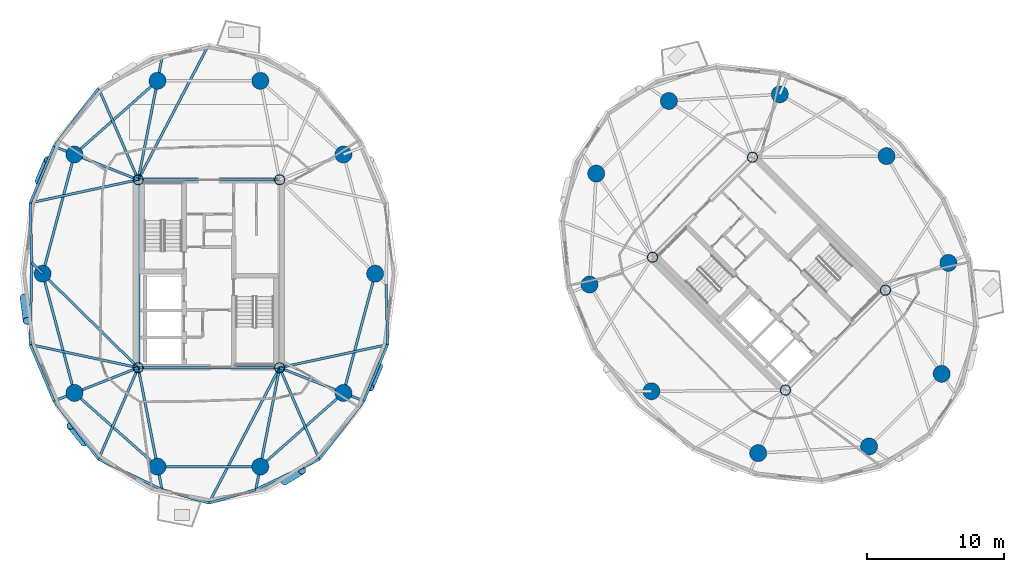
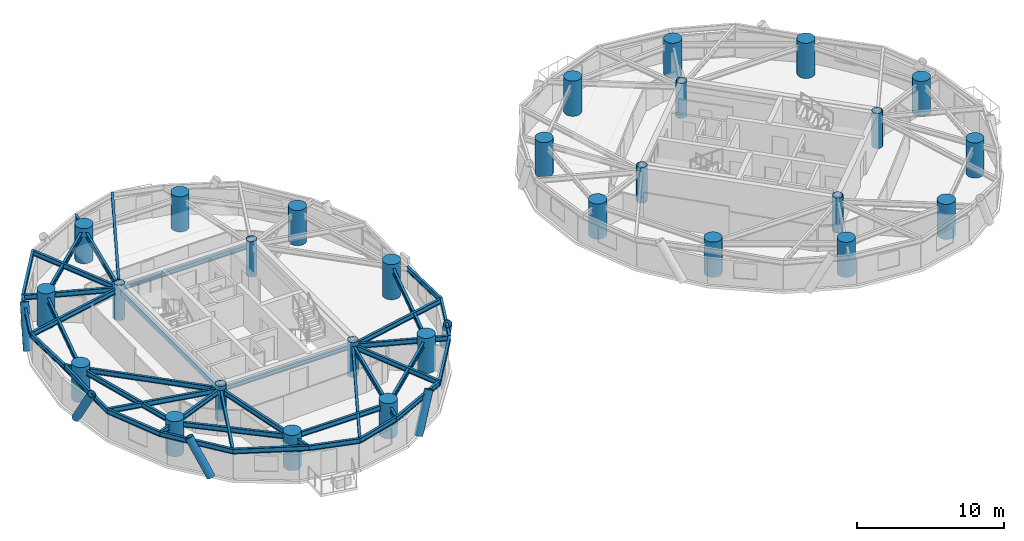
# One storey, part 1 of 15: 39 beams, 28 columns, 5 members.
"""IFC4 building model written with IfcOpenShell, lengths in metres."""

from ifc_helpers import new_model, si_unit, direction, frame, origin, origin_2d, place, context, subcontext, project, spatial, hollow_rectangle, circle, hollow_circle, i_section, extrude, material, material_profile, profile_set, type_object, element, save


model = new_model("IFC4")

# Units and contexts
model_context = context("Model", 3, precision=1e-05, world=origin(), true_north=direction((0.0, 1.0)))
body_context = subcontext(model_context, "Body", "Model", "MODEL_VIEW")
ifc_project = project(units=[si_unit("LENGTHUNIT", "METRE"), si_unit("AREAUNIT", "SQUARE_METRE"), si_unit("VOLUMEUNIT", "CUBIC_METRE"), si_unit("PLANEANGLEUNIT", "RADIAN"), si_unit("MASSUNIT", "GRAM", prefix="KILO")], contexts=[model_context])

# Site, building, storey
site_placement = place(None, origin())
site = spatial("IfcSite", under=ifc_project, at=site_placement, CompositionType="ELEMENT")
building_placement = place(site_placement, origin())
building = spatial("IfcBuilding", under=site, at=building_placement, Name="Cununo Teusaquillo Station Towers", CompositionType="ELEMENT")
storey_placement = place(building_placement, frame((0.0, 0.0, 189.429931640625)))
storey = spatial("IfcBuildingStorey", under=building, at=storey_placement, Name="L60", CompositionType="ELEMENT", Elevation=189.429931640625)

# Columns
ifc_material_1 = material(Name="Steel EN 10025-2 S355J2", Category="steel")
ifc_material_profile_1 = material_profile(ifc_material_1, hollow_circle(Radius=0.3798828125, WallThickness=0.031982421875, at=origin_2d()), Name="CHS 760x32")
ifc_profile_set_1 = profile_set([ifc_material_profile_1], Name="Steel EN 10025-2 S355J2")
column_type_1 = type_object("IfcColumnType", Name="COL-CORE-Z2", PredefinedType="COLUMN", material=ifc_profile_set_1)
for number, where, z_axis, x_axis, name in (
    (1, (11.324951171875, 17.6201171875, 0.0), (0.0, 0.0, 1.0), (1.0, 0.0, 0.0), "L60 Tower A Core Column 1"),
    (2, (11.324951171875, 31.3798828125, 0.0), (0.0, 0.0, 1.0), (1.0, 0.0, 0.0), "L60 Tower A Core Column 2"),
    (3, (21.675048828125, 17.6201171875, 0.0), (0.0, 0.0, 1.0), (1.0, 0.0, 0.0), "L60 Tower A Core Column 3"),
    (4, (21.675048828125, 31.3798828125, 0.0), (0.0, 0.0, 1.0), (1.0, 0.0, 0.0), "L60 Tower A Core Column 4"),
    (5, (58.70556640625, 15.975830078125, 0.0), (0.0, 0.0, 1.0), (0.707106781187, 0.707106781187, 0.0), "L60 Tower B Core Column 1"),
    (6, (48.975830078125, 25.70556640625, 0.0), (0.0, 0.0, 1.0), (0.707106781187, 0.707106781187, 0.0), "L60 Tower B Core Column 2"),
    (7, (66.024169921875, 23.29443359375, 0.0), (0.0, 0.0, 1.0), (0.707106781187, 0.707106781187, 0.0), "L60 Tower B Core Column 3"),
    (8, (56.29443359375, 33.024169921875, 0.0), (0.0, 0.0, 1.0), (0.707106781187, 0.707106781187, 0.0), "L60 Tower B Core Column 4"),
):
    element("IfcColumn", number, at=place(storey_placement, frame(where, z_axis=z_axis, x_axis=x_axis)), inside=storey, type_object=column_type_1, Name=name, PredefinedType="COLUMN", context=body_context, shape_type="SweptSolid", body=[
        extrude(hollow_circle(Radius=0.3798828125, WallThickness=0.031982421875, at=origin_2d()), origin(), (0.0, 0.0, 1.0), 2.91015625),
    ])
ifc_material_2 = material(Name="Concrete C60/75", Category="concrete")
ifc_material_profile_2 = material_profile(ifc_material_2, circle(Radius=0.625, at=origin_2d()), Name="RC-CIRC-1250")
ifc_profile_set_2 = profile_set([ifc_material_profile_2], Name="Concrete C60/75")
column_type_2 = type_object("IfcColumnType", Name="COL-MEGA-Z3", PredefinedType="USERDEFINED", material=ifc_profile_set_2)
for number, where, z_axis, x_axis, name in (
    (9, (28.672119140625, 24.5, 0.0), (0.0, 0.0, 1.0), (1.0, 0.0, 0.0), "L60 Tower A Perimeter Column V00"),
    (10, (26.347412109375, 33.228515625, 0.0), (0.0, 0.0, 1.0), (1.0, 0.0, 0.0), "L60 Tower A Perimeter Column V02"),
    (11, (20.261474609375, 38.623291015625, 0.0), (0.0, 0.0, 1.0), (1.0, 0.0, 0.0), "L60 Tower A Perimeter Column V04"),
    (12, (12.738525390625, 38.623291015625, 0.0), (0.0, 0.0, 1.0), (1.0, 0.0, 0.0), "L60 Tower A Perimeter Column V06"),
    (13, (6.652587890625, 33.228515625, 0.0), (0.0, 0.0, 1.0), (1.0, 0.0, 0.0), "L60 Tower A Perimeter Column V08"),
    (14, (4.327880859375, 24.5, 0.0), (0.0, 0.0, 1.0), (1.0, 0.0, 0.0), "L60 Tower A Perimeter Column V10"),
    (15, (6.652587890625, 15.771484375, 0.0), (0.0, 0.0, 1.0), (1.0, 0.0, 0.0), "L60 Tower A Perimeter Column V12"),
    (16, (12.738525390625, 10.376708984375, 0.0), (0.0, 0.0, 1.0), (1.0, 0.0, 0.0), "L60 Tower A Perimeter Column V14"),
    (17, (20.261474609375, 10.376708984375, 0.0), (0.0, 0.0, 1.0), (1.0, 0.0, 0.0), "L60 Tower A Perimeter Column V16"),
    (18, (26.347412109375, 15.771484375, 0.0), (0.0, 0.0, 1.0), (1.0, 0.0, 0.0), "L60 Tower A Perimeter Column V18"),
    (19, (66.10693359375, 33.10693359375, 0.0), (0.0, 0.0, 1.0), (1.0, 0.0, 0.0), "L60 Tower B Perimeter Column V00"),
    (20, (58.291015625, 37.63525390625, 0.0), (0.0, 0.0, 1.0), (1.0, 0.0, 0.0), "L60 Tower B Perimeter Column V02"),
    (21, (50.173095703125, 37.146240234375, 0.0), (0.0, 0.0, 1.0), (1.0, 0.0, 0.0), "L60 Tower B Perimeter Column V04"),
    (22, (44.853759765625, 31.826904296875, 0.0), (0.0, 0.0, 1.0), (1.0, 0.0, 0.0), "L60 Tower B Perimeter Column V06"),
    (23, (44.36474609375, 23.708984375, 0.0), (0.0, 0.0, 1.0), (1.0, 0.0, 0.0), "L60 Tower B Perimeter Column V08"),
    (24, (48.89306640625, 15.89306640625, 0.0), (0.0, 0.0, 1.0), (1.0, 0.0, 0.0), "L60 Tower B Perimeter Column V10"),
    (25, (56.708984375, 11.36474609375, 0.0), (0.0, 0.0, 1.0), (1.0, 0.0, 0.0), "L60 Tower B Perimeter Column V12"),
    (26, (64.826904296875, 11.853759765625, 0.0), (0.0, 0.0, 1.0), (1.0, 0.0, 0.0), "L60 Tower B Perimeter Column V14"),
    (27, (70.146240234375, 17.173095703125, 0.0), (0.0, 0.0, 1.0), (1.0, 0.0, 0.0), "L60 Tower B Perimeter Column V16"),
    (28, (70.63525390625, 25.291015625, 0.0), (0.0, 0.0, 1.0), (1.0, 0.0, 0.0), "L60 Tower B Perimeter Column V18"),
):
    element("IfcColumn", number, at=place(storey_placement, frame(where, z_axis=z_axis, x_axis=x_axis)), inside=storey, type_object=column_type_2, Name=name, ObjectType="MEGA COLUMN", PredefinedType="USERDEFINED", context=body_context, shape_type="SweptSolid", body=[
        extrude(circle(Radius=0.625, at=origin_2d()), origin(), (0.0, 0.0, 1.0), 2.91015625),
    ])

# Beams
ifc_material_3 = material(Name="Steel EN 10025-2 S355J2", Category="steel")
ifc_material_profile_3 = material_profile(ifc_material_3, hollow_rectangle(XDim=0.25, YDim=0.449951171875, WallThickness=0.01611328125, at=origin_2d()), Name="RHS 450x250x16")
ifc_profile_set_3 = profile_set([ifc_material_profile_3], Name="Steel EN 10025-2 S355J2")
beam_type_1 = type_object("IfcBeamType", Name="BM-COUP-1", PredefinedType="USERDEFINED", material=ifc_profile_set_3)
beam_1_placement = place(storey_placement, frame((11.324951171875, 17.6201171875, 2.344970703125), z_axis=(0.0, 1.0, 0.0), x_axis=(-1.0, 0.0, 0.0)))
element("IfcBeam", 29, at=beam_1_placement, inside=storey, type_object=beam_type_1, Name="L60 Tower A Core Beam 1", ObjectType="COUPLING BEAM", PredefinedType="USERDEFINED", context=body_context, shape_type="SweptSolid", body=[
    extrude(hollow_rectangle(XDim=0.25, YDim=0.449951171875, WallThickness=0.01611328125, at=origin_2d()), origin(), (0.0, 0.0, 1.0), 13.759765625),
])
ifc_material_4 = material(Name="Steel ASTM A572 Grade 50", Category="steel")
ifc_material_profile_4 = material_profile(ifc_material_4, i_section(OverallWidth=0.180908203125, OverallDepth=0.4169921875, WebThickness=0.010986328125, FlangeThickness=0.018310546875, FilletRadius=0.012939453125, at=origin_2d()), Name="W16X57")
ifc_profile_set_4 = profile_set([ifc_material_profile_4], Name="Steel ASTM A572 Grade 50")
beam_type_2 = type_object("IfcBeamType", Name="BM-JOIST-1", PredefinedType="JOIST", material=ifc_profile_set_4)
beam_2_placement = place(storey_placement, frame((11.324951171875, 31.3798828125, 2.361572265625), z_axis=(0.462884645231, 0.886418527113, 0.0), x_axis=(-0.886418527113, 0.462884645231, 0.0)))
element("IfcBeam", 30, at=beam_2_placement, inside=storey, type_object=beam_type_2, Name="L60 Tower A Radial Spandrel Joist V05", PredefinedType="JOIST", context=body_context, shape_type="SweptSolid", body=[
    extrude(i_section(OverallWidth=0.180908203125, OverallDepth=0.4169921875, WebThickness=0.010986328125, FlangeThickness=0.018310546875, FilletRadius=0.012939453125, at=origin_2d()), origin(), (0.0, 0.0, 1.0), 11.179931640625),
])
beam_3_placement = place(storey_placement, frame((11.324951171875, 31.3798828125, 2.361572265625), z_axis=(-0.397903718051, 0.917427180304, 0.0), x_axis=(-0.917427180304, -0.397903718051, 0.0)))
element("IfcBeam", 31, at=beam_3_placement, inside=storey, type_object=beam_type_2, Name="L60 Tower A Radial Spandrel Joist V07", PredefinedType="JOIST", context=body_context, shape_type="SweptSolid", body=[
    extrude(i_section(OverallWidth=0.180908203125, OverallDepth=0.4169921875, WebThickness=0.010986328125, FlangeThickness=0.018310546875, FilletRadius=0.012939453125, at=origin_2d()), origin(), (0.0, 0.0, 1.0), 7.306884765625),
])
for number, where, z_axis, x_axis, name in (
    (32, (11.324951171875, 31.3798828125, 2.361572265625), (-0.977854548984, -0.209285644589, 0.0), (0.209285644589, -0.977854548984, 0.0), "L60 Tower A Radial Spandrel Joist V09"),
    (33, (11.324951171875, 17.6201171875, 2.361572265625), (-0.977854548984, 0.209285644589, 0.0), (-0.209285644589, -0.977854548984, 0.0), "L60 Tower A Radial Spandrel Joist V11"),
):
    element("IfcBeam", number, at=place(storey_placement, frame(where, z_axis=z_axis, x_axis=x_axis)), inside=storey, type_object=beam_type_2, Name=name, PredefinedType="JOIST", context=body_context, shape_type="SweptSolid", body=[
        extrude(i_section(OverallWidth=0.180908203125, OverallDepth=0.4169921875, WebThickness=0.010986328125, FlangeThickness=0.018310546875, FilletRadius=0.012939453125, at=origin_2d()), origin(), (0.0, 0.0, 1.0), 8.081787109375),
    ])
beam_4_placement = place(storey_placement, frame((11.324951171875, 17.6201171875, 2.361572265625), z_axis=(-0.397903718051, -0.917427180304, 0.0), x_axis=(0.917427180304, -0.397903718051, 0.0)))
element("IfcBeam", 34, at=beam_4_placement, inside=storey, type_object=beam_type_2, Name="L60 Tower A Radial Spandrel Joist V13", PredefinedType="JOIST", context=body_context, shape_type="SweptSolid", body=[
    extrude(i_section(OverallWidth=0.180908203125, OverallDepth=0.4169921875, WebThickness=0.010986328125, FlangeThickness=0.018310546875, FilletRadius=0.012939453125, at=origin_2d()), origin(), (0.0, 0.0, 1.0), 7.306884765625),
])
beam_5_placement = place(storey_placement, frame((21.675048828125, 17.6201171875, 2.361572265625), z_axis=(-0.462884645231, -0.886418527113, 0.0), x_axis=(0.886418527113, -0.462884645231, 0.0)))
element("IfcBeam", 35, at=beam_5_placement, inside=storey, type_object=beam_type_2, Name="L60 Tower A Radial Spandrel Joist V15", PredefinedType="JOIST", context=body_context, shape_type="SweptSolid", body=[
    extrude(i_section(OverallWidth=0.180908203125, OverallDepth=0.4169921875, WebThickness=0.010986328125, FlangeThickness=0.018310546875, FilletRadius=0.012939453125, at=origin_2d()), origin(), (0.0, 0.0, 1.0), 11.179931640625),
])
beam_6_placement = place(storey_placement, frame((21.675048828125, 17.6201171875, 2.361572265625), z_axis=(0.397903718051, -0.917427180304, 0.0), x_axis=(0.917427180304, 0.397903718051, 0.0)))
element("IfcBeam", 36, at=beam_6_placement, inside=storey, type_object=beam_type_2, Name="L60 Tower A Radial Spandrel Joist V17", PredefinedType="JOIST", context=body_context, shape_type="SweptSolid", body=[
    extrude(i_section(OverallWidth=0.180908203125, OverallDepth=0.4169921875, WebThickness=0.010986328125, FlangeThickness=0.018310546875, FilletRadius=0.012939453125, at=origin_2d()), origin(), (0.0, 0.0, 1.0), 7.306884765625),
])
beam_7_placement = place(storey_placement, frame((21.675048828125, 17.6201171875, 2.361572265625), z_axis=(0.977854548984, 0.209285644589, 0.0), x_axis=(-0.209285644589, 0.977854548984, 0.0)))
element("IfcBeam", 37, at=beam_7_placement, inside=storey, type_object=beam_type_2, Name="L60 Tower A Radial Spandrel Joist V19", PredefinedType="JOIST", context=body_context, shape_type="SweptSolid", body=[
    extrude(i_section(OverallWidth=0.180908203125, OverallDepth=0.4169921875, WebThickness=0.010986328125, FlangeThickness=0.018310546875, FilletRadius=0.012939453125, at=origin_2d()), origin(), (0.0, 0.0, 1.0), 8.081787109375),
])
ifc_material_5 = material(Name="Steel ASTM A572 Grade 50", Category="steel")
ifc_material_profile_5 = material_profile(ifc_material_5, i_section(OverallWidth=0.2041015625, OverallDepth=0.35009765625, WebThickness=0.008544921875, FlangeThickness=0.01513671875, FilletRadius=0.011962890625, at=origin_2d()), Name="W14X48")
ifc_profile_set_5 = profile_set([ifc_material_profile_5], Name="Steel ASTM A572 Grade 50")
beam_type_3 = type_object("IfcBeamType", Name="BM-LINTEL-1", PredefinedType="LINTEL", material=ifc_profile_set_5)
for number, where, z_axis, x_axis, name in (
    (38, (11.324951171875, 17.6201171875, 2.39501953125), (1.0, 0.0, 0.0), (0.0, 1.0, 0.0), "L60 Tower A Core Beam 3"),
    (39, (11.324951171875, 31.3798828125, 2.39501953125), (1.0, 0.0, 0.0), (0.0, 1.0, 0.0), "L60 Tower A Core Beam 4"),
):
    element("IfcBeam", number, at=place(storey_placement, frame(where, z_axis=z_axis, x_axis=x_axis)), inside=storey, type_object=beam_type_3, Name=name, PredefinedType="LINTEL", context=body_context, shape_type="SweptSolid", body=[
        extrude(i_section(OverallWidth=0.2041015625, OverallDepth=0.35009765625, WebThickness=0.008544921875, FlangeThickness=0.01513671875, FilletRadius=0.011962890625, at=origin_2d()), origin(), (0.0, 0.0, 1.0), 10.35009765625),
    ])
ifc_material_6 = material(Name="Steel ASTM A572 Grade 50", Category="steel")
ifc_material_profile_6 = material_profile(ifc_material_6, i_section(OverallWidth=0.180908203125, OverallDepth=0.4169921875, WebThickness=0.010986328125, FlangeThickness=0.018310546875, FilletRadius=0.012939453125, at=origin_2d()), Name="W16X57")
ifc_profile_set_6 = profile_set([ifc_material_profile_6], Name="Steel ASTM A572 Grade 50")
beam_type_4 = type_object("IfcBeamType", Name="BM-RAD-G2", PredefinedType="BEAM", material=ifc_profile_set_6)
beam_8_placement = place(storey_placement, frame((11.324951171875, 31.3798828125, 2.361572265625), z_axis=(0.191557018874, 0.981481486591, 0.0), x_axis=(-0.981481486591, 0.191557018874, 0.0)))
element("IfcBeam", 40, at=beam_8_placement, inside=storey, type_object=beam_type_4, Name="L60 Tower A Continuous Overhanging Radial Girder 04", PredefinedType="BEAM", context=body_context, shape_type="SweptSolid", body=[
    extrude(i_section(OverallWidth=0.180908203125, OverallDepth=0.4169921875, WebThickness=0.010986328125, FlangeThickness=0.018310546875, FilletRadius=0.012939453125, at=origin_2d()), origin(), (0.0, 0.0, 1.0), 9.097412109375),
])
beam_9_placement = place(storey_placement, frame((11.324951171875, 31.3798828125, 2.361572265625), z_axis=(-0.929866438974, 0.367897275974, 0.0), x_axis=(-0.367897275974, -0.929866438974, 0.0)))
element("IfcBeam", 41, at=beam_9_placement, inside=storey, type_object=beam_type_4, Name="L60 Tower A Continuous Overhanging Radial Girder 05", PredefinedType="BEAM", context=body_context, shape_type="SweptSolid", body=[
    extrude(i_section(OverallWidth=0.180908203125, OverallDepth=0.4169921875, WebThickness=0.010986328125, FlangeThickness=0.018310546875, FilletRadius=0.012939453125, at=origin_2d()), origin(), (0.0, 0.0, 1.0), 6.632080078125),
])
beam_10_placement = place(storey_placement, frame((11.324951171875, 17.6201171875, 2.361572265625), z_axis=(-0.713052701438, 0.701110437073, 0.0), x_axis=(-0.701110437073, -0.713052701438, 0.0)))
element("IfcBeam", 42, at=beam_10_placement, inside=storey, type_object=beam_type_4, Name="L60 Tower A Radial Girder 06A", PredefinedType="BEAM", context=body_context, shape_type="SweptSolid", body=[
    extrude(i_section(OverallWidth=0.180908203125, OverallDepth=0.4169921875, WebThickness=0.010986328125, FlangeThickness=0.018310546875, FilletRadius=0.012939453125, at=origin_2d()), origin(), (0.0, 0.0, 1.0), 9.812744140625),
])
beam_11_placement = place(storey_placement, frame((4.327880859375, 24.5, 2.361572265625), z_axis=(-0.713045362701, 0.701117900734, 0.0), x_axis=(-0.701117900734, -0.713045362701, 0.0)))
element("IfcBeam", 43, at=beam_11_placement, inside=storey, type_object=beam_type_4, Name="L60 Tower A Perimeter Overhang Girder 06B", PredefinedType="BEAM", context=body_context, shape_type="SweptSolid", body=[
    extrude(i_section(OverallWidth=0.180908203125, OverallDepth=0.4169921875, WebThickness=0.010986328125, FlangeThickness=0.018310546875, FilletRadius=0.012939453125, at=origin_2d()), origin(), (0.0, 0.0, 1.0), 1.125732421875),
])
beam_12_placement = place(storey_placement, frame((11.324951171875, 17.6201171875, 2.361572265625), z_axis=(-0.929866438974, -0.367897275974, 0.0), x_axis=(0.367897275974, -0.929866438974, 0.0)))
element("IfcBeam", 44, at=beam_12_placement, inside=storey, type_object=beam_type_4, Name="L60 Tower A Continuous Overhanging Radial Girder 07", PredefinedType="BEAM", context=body_context, shape_type="SweptSolid", body=[
    extrude(i_section(OverallWidth=0.180908203125, OverallDepth=0.4169921875, WebThickness=0.010986328125, FlangeThickness=0.018310546875, FilletRadius=0.012939453125, at=origin_2d()), origin(), (0.0, 0.0, 1.0), 6.632080078125),
])
for number, where, z_axis, x_axis, name in (
    (45, (11.324951171875, 17.6201171875, 2.361572265625), (0.191557018874, -0.981481486591, 0.0), (0.981481486591, 0.191557018874, 0.0), "L60 Tower A Continuous Overhanging Radial Girder 08"),
    (46, (21.675048828125, 17.6201171875, 2.361572265625), (-0.191557018874, -0.981481486591, 0.0), (0.981481486591, -0.191557018874, 0.0), "L60 Tower A Continuous Overhanging Radial Girder 09"),
):
    element("IfcBeam", number, at=place(storey_placement, frame(where, z_axis=z_axis, x_axis=x_axis)), inside=storey, type_object=beam_type_4, Name=name, PredefinedType="BEAM", context=body_context, shape_type="SweptSolid", body=[
        extrude(i_section(OverallWidth=0.180908203125, OverallDepth=0.4169921875, WebThickness=0.010986328125, FlangeThickness=0.018310546875, FilletRadius=0.012939453125, at=origin_2d()), origin(), (0.0, 0.0, 1.0), 9.097412109375),
    ])
beam_13_placement = place(storey_placement, frame((21.675048828125, 17.6201171875, 2.361572265625), z_axis=(0.929866438974, -0.367897275974, 0.0), x_axis=(0.367897275974, 0.929866438974, 0.0)))
element("IfcBeam", 47, at=beam_13_placement, inside=storey, type_object=beam_type_4, Name="L60 Tower A Continuous Overhanging Radial Girder 10", PredefinedType="BEAM", context=body_context, shape_type="SweptSolid", body=[
    extrude(i_section(OverallWidth=0.180908203125, OverallDepth=0.4169921875, WebThickness=0.010986328125, FlangeThickness=0.018310546875, FilletRadius=0.012939453125, at=origin_2d()), origin(), (0.0, 0.0, 1.0), 6.632080078125),
])
ifc_material_7 = material(Name="Steel ASTM A572 Grade 50", Category="steel")
ifc_material_profile_7 = material_profile(ifc_material_7, i_section(OverallWidth=0.180908203125, OverallDepth=0.4169921875, WebThickness=0.010986328125, FlangeThickness=0.018310546875, FilletRadius=0.012939453125, at=origin_2d()), Name="W16X57")
ifc_profile_set_7 = profile_set([ifc_material_profile_7], Name="Steel ASTM A572 Grade 50")
beam_type_5 = type_object("IfcBeamType", Name="BM-RING-Z3", PredefinedType="SPANDREL", material=ifc_profile_set_7)
beam_14_placement = place(storey_placement, frame((12.738525390625, 38.623291015625, 2.361572265625), z_axis=(-0.74832120039, -0.66333655187, 0.0), x_axis=(0.66333655187, -0.74832120039, 0.0)))
element("IfcBeam", 48, at=beam_14_placement, inside=storey, type_object=beam_type_5, Name="L60 Tower A Structural Column Ring Girder 04", PredefinedType="SPANDREL", context=body_context, shape_type="SweptSolid", body=[
    extrude(i_section(OverallWidth=0.180908203125, OverallDepth=0.4169921875, WebThickness=0.010986328125, FlangeThickness=0.018310546875, FilletRadius=0.012939453125, at=origin_2d()), origin(), (0.0, 0.0, 1.0), 8.1328125),
])
for number, where, z_axis, x_axis, name in (
    (49, (6.652587890625, 33.228515625, 2.361572265625), (-0.257363196347, -0.966314744359, 0.0), (0.966314744359, -0.257363196347, 0.0), "L60 Tower A Structural Column Ring Girder 05"),
    (50, (4.327880859375, 24.5, 2.361572265625), (0.257363196347, -0.966314744359, 0.0), (0.966314744359, 0.257363196347, 0.0), "L60 Tower A Structural Column Ring Girder 06"),
):
    element("IfcBeam", number, at=place(storey_placement, frame(where, z_axis=z_axis, x_axis=x_axis)), inside=storey, type_object=beam_type_5, Name=name, PredefinedType="SPANDREL", context=body_context, shape_type="SweptSolid", body=[
        extrude(i_section(OverallWidth=0.180908203125, OverallDepth=0.4169921875, WebThickness=0.010986328125, FlangeThickness=0.018310546875, FilletRadius=0.012939453125, at=origin_2d()), origin(), (0.0, 0.0, 1.0), 9.03271484375),
    ])
beam_15_placement = place(storey_placement, frame((6.652587890625, 15.771484375, 2.361572265625), z_axis=(0.74832120039, -0.66333655187, 0.0), x_axis=(0.66333655187, 0.74832120039, 0.0)))
element("IfcBeam", 51, at=beam_15_placement, inside=storey, type_object=beam_type_5, Name="L60 Tower A Structural Column Ring Girder 07", PredefinedType="SPANDREL", context=body_context, shape_type="SweptSolid", body=[
    extrude(i_section(OverallWidth=0.180908203125, OverallDepth=0.4169921875, WebThickness=0.010986328125, FlangeThickness=0.018310546875, FilletRadius=0.012939453125, at=origin_2d()), origin(), (0.0, 0.0, 1.0), 8.1328125),
])
beam_16_placement = place(storey_placement, frame((12.738525390625, 10.376708984375, 2.361572265625), z_axis=(1.0, 0.0, 0.0), x_axis=(0.0, 1.0, 0.0)))
element("IfcBeam", 52, at=beam_16_placement, inside=storey, type_object=beam_type_5, Name="L60 Tower A Structural Column Ring Girder 08", PredefinedType="SPANDREL", context=body_context, shape_type="SweptSolid", body=[
    extrude(i_section(OverallWidth=0.180908203125, OverallDepth=0.4169921875, WebThickness=0.010986328125, FlangeThickness=0.018310546875, FilletRadius=0.012939453125, at=origin_2d()), origin(), (0.0, 0.0, 1.0), 7.52294921875),
])
beam_17_placement = place(storey_placement, frame((20.261474609375, 10.376708984375, 2.361572265625), z_axis=(0.74832120039, 0.66333655187, 0.0), x_axis=(-0.66333655187, 0.74832120039, 0.0)))
element("IfcBeam", 53, at=beam_17_placement, inside=storey, type_object=beam_type_5, Name="L60 Tower A Structural Column Ring Girder 09", PredefinedType="SPANDREL", context=body_context, shape_type="SweptSolid", body=[
    extrude(i_section(OverallWidth=0.180908203125, OverallDepth=0.4169921875, WebThickness=0.010986328125, FlangeThickness=0.018310546875, FilletRadius=0.012939453125, at=origin_2d()), origin(), (0.0, 0.0, 1.0), 8.1328125),
])
beam_18_placement = place(storey_placement, frame((26.347412109375, 15.771484375, 2.361572265625), z_axis=(0.257363196347, 0.966314744359, 0.0), x_axis=(-0.966314744359, 0.257363196347, 0.0)))
element("IfcBeam", 54, at=beam_18_placement, inside=storey, type_object=beam_type_5, Name="L60 Tower A Structural Column Ring Girder 10", PredefinedType="SPANDREL", context=body_context, shape_type="SweptSolid", body=[
    extrude(i_section(OverallWidth=0.180908203125, OverallDepth=0.4169921875, WebThickness=0.010986328125, FlangeThickness=0.018310546875, FilletRadius=0.012939453125, at=origin_2d()), origin(), (0.0, 0.0, 1.0), 9.03271484375),
])
beam_19_placement = place(storey_placement, frame((8.41748046875, 38.08349609375, 2.361572265625), z_axis=(-0.607340349092, -0.794441753916, 0.0), x_axis=(0.794441753916, -0.607340349092, 0.0)))
element("IfcBeam", 55, at=beam_19_placement, inside=storey, type_object=beam_type_5, Name="L60 Tower A Spandrel Ring Beam 08", PredefinedType="SPANDREL", context=body_context, shape_type="SweptSolid", body=[
    extrude(i_section(OverallWidth=0.180908203125, OverallDepth=0.4169921875, WebThickness=0.010986328125, FlangeThickness=0.018310546875, FilletRadius=0.012939453125, at=origin_2d()), origin(), (0.0, 0.0, 1.0), 5.366943359375),
])
beam_20_placement = place(storey_placement, frame((5.157958984375, 33.81982421875, 2.361572265625), z_axis=(-0.387360300858, -0.921928412253, 0.0), x_axis=(0.921928412253, -0.387360300858, 0.0)))
element("IfcBeam", 56, at=beam_20_placement, inside=storey, type_object=beam_type_5, Name="L60 Tower A Spandrel Ring Beam 09", PredefinedType="SPANDREL", context=body_context, shape_type="SweptSolid", body=[
    extrude(i_section(OverallWidth=0.180908203125, OverallDepth=0.4169921875, WebThickness=0.010986328125, FlangeThickness=0.018310546875, FilletRadius=0.012939453125, at=origin_2d()), origin(), (0.0, 0.0, 1.0), 4.481201171875),
])
beam_21_placement = place(storey_placement, frame((3.422119140625, 29.6884765625, 2.361572265625), z_axis=(0.0234133036, -0.999725871034, 0.0), x_axis=(0.999725871034, 0.0234133036, 0.0)))
element("IfcBeam", 57, at=beam_21_placement, inside=storey, type_object=beam_type_5, Name="L60 Tower A Spandrel Ring Beam 10", PredefinedType="SPANDREL", context=body_context, shape_type="SweptSolid", body=[
    extrude(i_section(OverallWidth=0.180908203125, OverallDepth=0.4169921875, WebThickness=0.010986328125, FlangeThickness=0.018310546875, FilletRadius=0.012939453125, at=origin_2d()), origin(), (0.0, 0.0, 1.0), 4.400390625),
])
beam_22_placement = place(storey_placement, frame((3.525146484375, 25.289306640625, 2.361572265625), z_axis=(-0.017232482627, -0.999851509747, 0.0), x_axis=(0.999851509747, -0.017232482627, 0.0)))
element("IfcBeam", 58, at=beam_22_placement, inside=storey, type_object=beam_type_5, Name="L60 Tower A Spandrel Ring Beam 11", PredefinedType="SPANDREL", context=body_context, shape_type="SweptSolid", body=[
    extrude(i_section(OverallWidth=0.180908203125, OverallDepth=0.4169921875, WebThickness=0.010986328125, FlangeThickness=0.018310546875, FilletRadius=0.012939453125, at=origin_2d()), origin(), (0.0, 0.0, 1.0), 5.978759765625),
])
beam_23_placement = place(storey_placement, frame((3.422119140625, 19.3115234375, 2.361572265625), z_axis=(0.387360300858, -0.921928412253, 0.0), x_axis=(0.921928412253, 0.387360300858, 0.0)))
element("IfcBeam", 59, at=beam_23_placement, inside=storey, type_object=beam_type_5, Name="L60 Tower A Spandrel Ring Beam 12", PredefinedType="SPANDREL", context=body_context, shape_type="SweptSolid", body=[
    extrude(i_section(OverallWidth=0.180908203125, OverallDepth=0.4169921875, WebThickness=0.010986328125, FlangeThickness=0.018310546875, FilletRadius=0.012939453125, at=origin_2d()), origin(), (0.0, 0.0, 1.0), 4.481201171875),
])
beam_24_placement = place(storey_placement, frame((5.157958984375, 15.18017578125, 2.361572265625), z_axis=(0.607340349092, -0.794441753916, 0.0), x_axis=(0.794441753916, 0.607340349092, 0.0)))
element("IfcBeam", 60, at=beam_24_placement, inside=storey, type_object=beam_type_5, Name="L60 Tower A Spandrel Ring Beam 13", PredefinedType="SPANDREL", context=body_context, shape_type="SweptSolid", body=[
    extrude(i_section(OverallWidth=0.180908203125, OverallDepth=0.4169921875, WebThickness=0.010986328125, FlangeThickness=0.018310546875, FilletRadius=0.012939453125, at=origin_2d()), origin(), (0.0, 0.0, 1.0), 5.366943359375),
])
beam_25_placement = place(storey_placement, frame((8.41748046875, 10.91650390625, 2.361572265625), z_axis=(0.902031610991, -0.431669981319, 0.0), x_axis=(0.431669981319, 0.902031610991, 0.0)))
element("IfcBeam", 61, at=beam_25_placement, inside=storey, type_object=beam_type_5, Name="L60 Tower A Spandrel Ring Beam 14", PredefinedType="SPANDREL", context=body_context, shape_type="SweptSolid", body=[
    extrude(i_section(OverallWidth=0.180908203125, OverallDepth=0.4169921875, WebThickness=0.010986328125, FlangeThickness=0.018310546875, FilletRadius=0.012939453125, at=origin_2d()), origin(), (0.0, 0.0, 1.0), 5.1552734375),
])
for number, where, z_axis, x_axis, name in (
    (62, (13.067626953125, 8.691162109375, 2.361572265625), (0.961485227168, -0.274856613414, 0.0), (0.274856613414, 0.961485227168, 0.0), "L60 Tower A Spandrel Ring Beam 15"),
    (63, (16.5, 7.7099609375, 2.361572265625), (0.961485227168, 0.274856613414, 0.0), (-0.274856613414, 0.961485227168, 0.0), "L60 Tower A Spandrel Ring Beam 16"),
):
    element("IfcBeam", number, at=place(storey_placement, frame(where, z_axis=z_axis, x_axis=x_axis)), inside=storey, type_object=beam_type_5, Name=name, PredefinedType="SPANDREL", context=body_context, shape_type="SweptSolid", body=[
        extrude(i_section(OverallWidth=0.180908203125, OverallDepth=0.4169921875, WebThickness=0.010986328125, FlangeThickness=0.018310546875, FilletRadius=0.012939453125, at=origin_2d()), origin(), (0.0, 0.0, 1.0), 3.56982421875),
    ])
beam_26_placement = place(storey_placement, frame((19.932373046875, 8.691162109375, 2.361572265625), z_axis=(0.902031610991, 0.431669981319, 0.0), x_axis=(-0.431669981319, 0.902031610991, 0.0)))
element("IfcBeam", 64, at=beam_26_placement, inside=storey, type_object=beam_type_5, Name="L60 Tower A Spandrel Ring Beam 17", PredefinedType="SPANDREL", context=body_context, shape_type="SweptSolid", body=[
    extrude(i_section(OverallWidth=0.180908203125, OverallDepth=0.4169921875, WebThickness=0.010986328125, FlangeThickness=0.018310546875, FilletRadius=0.012939453125, at=origin_2d()), origin(), (0.0, 0.0, 1.0), 5.1552734375),
])
beam_27_placement = place(storey_placement, frame((24.58251953125, 10.91650390625, 2.361572265625), z_axis=(0.607340349092, 0.794441753916, 0.0), x_axis=(-0.794441753916, 0.607340349092, 0.0)))
element("IfcBeam", 65, at=beam_27_placement, inside=storey, type_object=beam_type_5, Name="L60 Tower A Spandrel Ring Beam 18", PredefinedType="SPANDREL", context=body_context, shape_type="SweptSolid", body=[
    extrude(i_section(OverallWidth=0.180908203125, OverallDepth=0.4169921875, WebThickness=0.010986328125, FlangeThickness=0.018310546875, FilletRadius=0.012939453125, at=origin_2d()), origin(), (0.0, 0.0, 1.0), 5.366943359375),
])
beam_28_placement = place(storey_placement, frame((27.842041015625, 15.18017578125, 2.361572265625), z_axis=(0.387360300858, 0.921928412253, 0.0), x_axis=(-0.921928412253, 0.387360300858, 0.0)))
element("IfcBeam", 66, at=beam_28_placement, inside=storey, type_object=beam_type_5, Name="L60 Tower A Spandrel Ring Beam 19", PredefinedType="SPANDREL", context=body_context, shape_type="SweptSolid", body=[
    extrude(i_section(OverallWidth=0.180908203125, OverallDepth=0.4169921875, WebThickness=0.010986328125, FlangeThickness=0.018310546875, FilletRadius=0.012939453125, at=origin_2d()), origin(), (0.0, 0.0, 1.0), 4.481201171875),
])
beam_29_placement = place(storey_placement, frame((29.577880859375, 19.3115234375, 2.361572265625), z_axis=(-0.0234133036, 0.999725871034, 0.0), x_axis=(-0.999725871034, -0.0234133036, 0.0)))
element("IfcBeam", 67, at=beam_29_placement, inside=storey, type_object=beam_type_5, Name="L60 Tower A Spandrel Ring Beam 20", PredefinedType="SPANDREL", context=body_context, shape_type="SweptSolid", body=[
    extrude(i_section(OverallWidth=0.180908203125, OverallDepth=0.4169921875, WebThickness=0.010986328125, FlangeThickness=0.018310546875, FilletRadius=0.012939453125, at=origin_2d()), origin(), (0.0, 0.0, 1.0), 4.400390625),
])

# Members
ifc_material_8 = material(Name="Steel EN 10025-2 S355J2", Category="steel")
ifc_material_profile_8 = material_profile(ifc_material_8, hollow_circle(Radius=0.304931640625, WallThickness=0.02001953125, at=origin_2d()), Name="CHS 610x20")
ifc_profile_set_8 = profile_set([ifc_material_profile_8], Name="Steel EN 10025-2 S355J2")
member_type = type_object("IfcMemberType", Name="MBR-DIAG-Z3", PredefinedType="BRACE", material=ifc_profile_set_8)
member_1_placement = place(storey_placement, frame((4.072998046875, 31.24853515625, -0.139892578125), z_axis=(0.193480671787, 0.463570113506, 0.864677962891), x_axis=(-0.922846026244, 0.38516906917, 0.0)))
element("IfcMember", 68, at=member_1_placement, inside=storey, type_object=member_type, Name="L60 Tower A Folded-Zigzag Diagrid Tube C08", PredefinedType="BRACE", context=body_context, shape_type="SweptSolid", body=[
    extrude(hollow_circle(Radius=0.304931640625, WallThickness=0.02001953125, at=origin_2d()), origin(), (0.0, 0.0, 1.0), 3.365234375),
])
member_2_placement = place(storey_placement, frame((2.973388671875, 22.7705078125, -0.139892578125), z_axis=(0.066135618578, -0.509798391741, 0.857748028114), x_axis=(0.991689942952, 0.128650911572, 0.0)))
element("IfcMember", 69, at=member_2_placement, inside=storey, type_object=member_type, Name="L60 Tower A Folded-Zigzag Diagrid Tube C10", PredefinedType="BRACE", context=body_context, shape_type="SweptSolid", body=[
    extrude(hollow_circle(Radius=0.304931640625, WallThickness=0.02001953125, at=origin_2d()), origin(), (0.0, 0.0, 1.0), 3.392578125),
])
member_3_placement = place(storey_placement, frame((7.4033203125, 12.15478515625, -0.139892578125), z_axis=(-0.305313994852, 0.372802135299, 0.876243078412), x_axis=(-0.773658124663, -0.633603271884, 0.0)))
element("IfcMember", 70, at=member_3_placement, inside=storey, type_object=member_type, Name="L60 Tower A Folded-Zigzag Diagrid Tube C12", PredefinedType="BRACE", context=body_context, shape_type="SweptSolid", body=[
    extrude(hollow_circle(Radius=0.304931640625, WallThickness=0.02001953125, at=origin_2d()), origin(), (0.0, 0.0, 1.0), 3.32080078125),
])
member_4_placement = place(storey_placement, frame((22.027099609375, 9.32666015625, -0.139892578125), z_axis=(0.389992377255, 0.242655299129, 0.888270427003), x_axis=(-0.528291489706, 0.849063072983, 0.0)))
element("IfcMember", 71, at=member_4_placement, inside=storey, type_object=member_type, Name="L60 Tower A Folded-Zigzag Diagrid Tube C16", PredefinedType="BRACE", context=body_context, shape_type="SweptSolid", body=[
    extrude(hollow_circle(Radius=0.304931640625, WallThickness=0.02001953125, at=origin_2d()), origin(), (0.0, 0.0, 1.0), 3.27587890625),
])
member_5_placement = place(storey_placement, frame((28.927001953125, 17.75146484375, -0.139892578125), z_axis=(-0.193480671787, -0.463570113506, 0.864677962891), x_axis=(0.922846026244, -0.38516906917, 0.0)))
element("IfcMember", 72, at=member_5_placement, inside=storey, type_object=member_type, Name="L60 Tower A Folded-Zigzag Diagrid Tube C18", PredefinedType="BRACE", context=body_context, shape_type="SweptSolid", body=[
    extrude(hollow_circle(Radius=0.304931640625, WallThickness=0.02001953125, at=origin_2d()), origin(), (0.0, 0.0, 1.0), 3.365234375),
])

save(model, "model.ifc")
